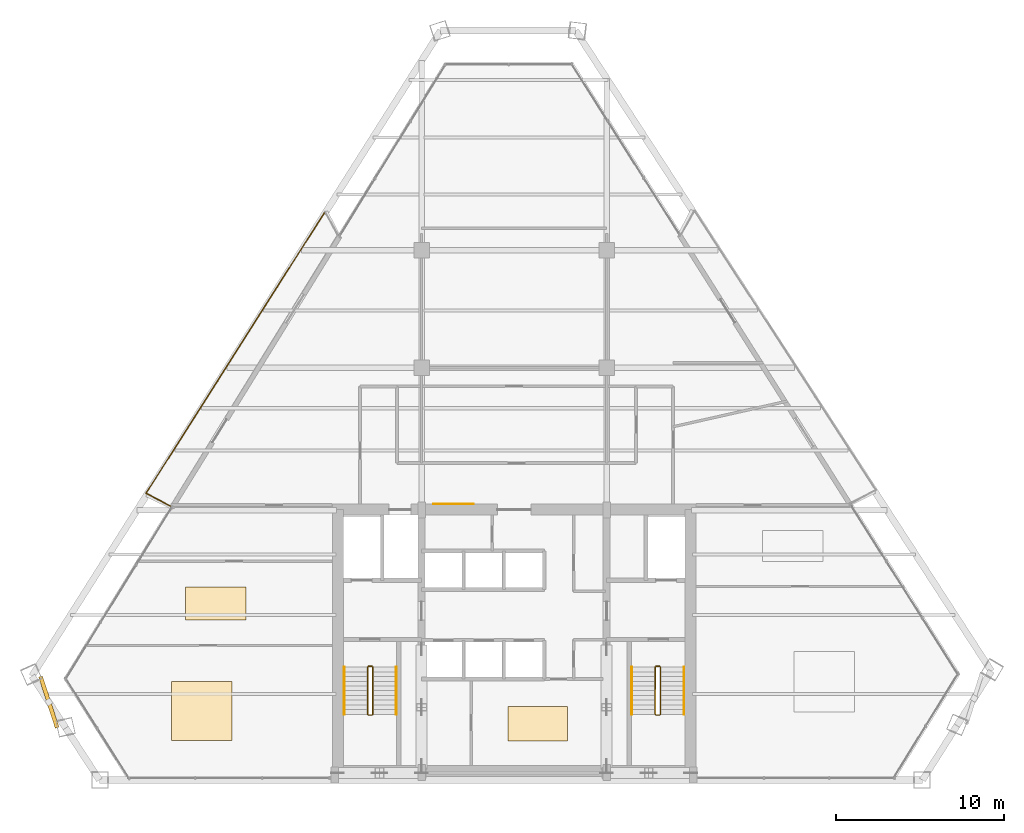
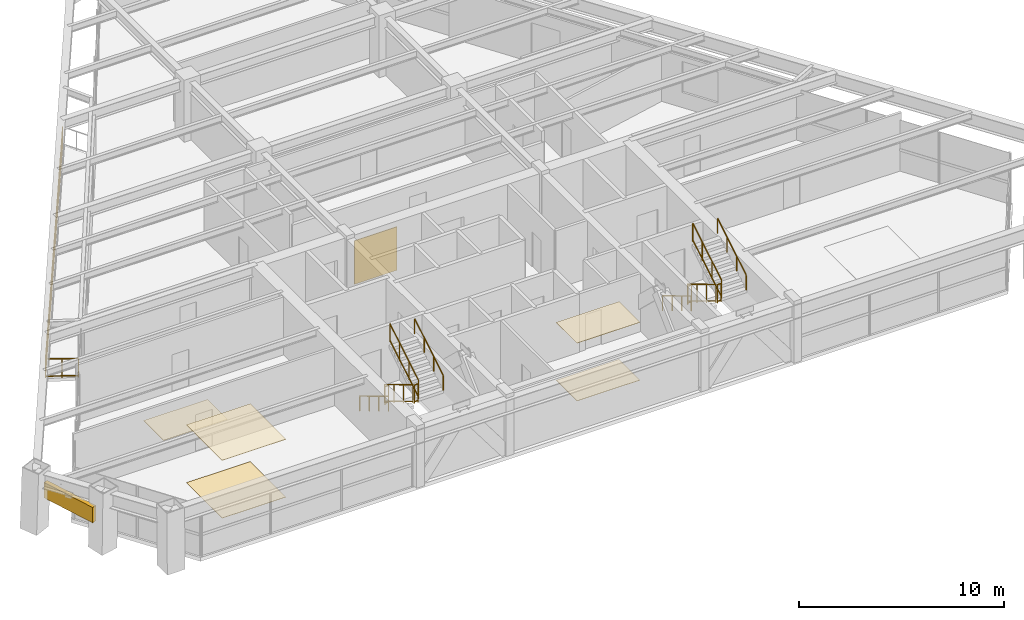
# One storey, part 14 of 15: 14 railings, 6 coverings, 1 shading device.
"""IFC4 building model written with IfcOpenShell, lengths in metres."""

from ifc_helpers import new_model, si_unit, direction, frame, origin, origin_2d, place, context, subcontext, project, spatial, rectangle, extrude, source, transform, mapped, material, layer, layer_set, type_object, type_shapes, element, save


model = new_model("IFC4")

# Units and contexts
model_context = context("Model", 3, precision=1e-05, world=origin(), true_north=direction((0.0, 1.0)))
body_context = subcontext(model_context, "Body", "Model", "MODEL_VIEW")
ifc_project = project(units=[si_unit("LENGTHUNIT", "METRE"), si_unit("AREAUNIT", "SQUARE_METRE"), si_unit("VOLUMEUNIT", "CUBIC_METRE"), si_unit("PLANEANGLEUNIT", "RADIAN"), si_unit("MASSUNIT", "GRAM", prefix="KILO")], contexts=[model_context])

# Site, building, storey
site_placement = place(None, origin())
site = spatial("IfcSite", under=ifc_project, at=site_placement, CompositionType="ELEMENT")
building_placement = place(site_placement, origin())
building = spatial("IfcBuilding", under=site, at=building_placement, Name="Varnakhor Terracotta Tower", CompositionType="ELEMENT")
storey_placement = place(building_placement, frame((0.0, 0.0, 189.5)))
storey = spatial("IfcBuildingStorey", under=building, at=storey_placement, Name="L48", CompositionType="ELEMENT", Elevation=189.5)

# Railings
ifc_material_1 = material(Name="Stainless Steel & Laminated Glass Guardrail", Category="steel")
railing_type_1 = type_object("IfcRailingType", Name="RLG-LOGGIA-GUARD-1150", PredefinedType="GUARDRAIL", material=ifc_material_1)
railing_1_placement = place(storey_placement, frame((-20.44140625, 16.283935546875, 0.0)))
element("IfcRailing", 1, at=railing_1_placement, inside=storey, type_object=railing_type_1, Name="L48 W Loggia Glass Guard 1", PredefinedType="GUARDRAIL", context=body_context, shape_type="SweptSolid", body=[
    extrude(rectangle(XDim=0.048095703125, YDim=0.048095703125, at=origin_2d()), frame((0.0, 0.0, 1.1259765625), z_axis=(-0.881421765813, 0.472330044304, 0.0), x_axis=(-0.472330044304, -0.881421765813, 0.0)), (0.0, 0.0, 1.0), 1.62158203125),
    extrude(rectangle(XDim=0.048095703125, YDim=0.048095703125, at=origin_2d()), frame((0.0, 0.0, 0.10009765625), z_axis=(-0.881421765813, 0.472330044304, 0.0), x_axis=(-0.472330044304, -0.881421765813, 0.0)), (0.0, 0.0, 1.0), 1.62158203125),
    extrude(rectangle(XDim=0.0419921875, YDim=0.0419921875, at=origin_2d()), origin(), (0.0, 0.0, 1.0), 1.101806640625),
    extrude(rectangle(XDim=0.0419921875, YDim=0.0419921875, at=origin_2d()), frame((-0.714599609375, 0.3828125, 0.0)), (0.0, 0.0, 1.0), 1.101806640625),
    extrude(rectangle(XDim=0.0419921875, YDim=0.0419921875, at=origin_2d()), frame((-1.42919921875, 0.765869140625, 0.0)), (0.0, 0.0, 1.0), 1.101806640625),
])
railing_2_placement = place(storey_placement, frame((-21.87060546875, 17.0498046875, 0.0)))
element("IfcRailing", 2, at=railing_2_placement, inside=storey, type_object=railing_type_1, Name="L48 W Loggia Glass Guard 2", PredefinedType="GUARDRAIL", context=body_context, shape_type="SweptSolid", body=[
    extrude(rectangle(XDim=0.048095703125, YDim=0.048095703125, at=origin_2d()), frame((0.0, 0.0, 1.1259765625), z_axis=(0.53627585399, 0.844042776421, 0.0), x_axis=(-0.844042776421, 0.53627585399, 0.0)), (0.0, 0.0, 1.0), 19.815673828125),
    extrude(rectangle(XDim=0.048095703125, YDim=0.048095703125, at=origin_2d()), frame((0.0, 0.0, 0.10009765625), z_axis=(0.53627585399, 0.844042776421, 0.0), x_axis=(-0.844042776421, 0.53627585399, 0.0)), (0.0, 0.0, 1.0), 19.815673828125),
    extrude(rectangle(XDim=0.0419921875, YDim=0.0419921875, at=origin_2d()), origin(), (0.0, 0.0, 1.0), 1.101806640625),
    extrude(rectangle(XDim=0.0419921875, YDim=0.0419921875, at=origin_2d()), frame((0.70849609375, 1.114990234375, 0.0)), (0.0, 0.0, 1.0), 1.101806640625),
    extrude(rectangle(XDim=0.0419921875, YDim=0.0419921875, at=origin_2d()), frame((1.4169921875, 2.22998046875, 0.0)), (0.0, 0.0, 1.0), 1.101806640625),
    extrude(rectangle(XDim=0.0419921875, YDim=0.0419921875, at=origin_2d()), frame((2.125244140625, 3.344970703125, 0.0)), (0.0, 0.0, 1.0), 1.101806640625),
    extrude(rectangle(XDim=0.0419921875, YDim=0.0419921875, at=origin_2d()), frame((2.833740234375, 4.460205078125, 0.0)), (0.0, 0.0, 1.0), 1.101806640625),
    extrude(rectangle(XDim=0.0419921875, YDim=0.0419921875, at=origin_2d()), frame((3.542236328125, 5.5751953125, 0.0)), (0.0, 0.0, 1.0), 1.101806640625),
    extrude(rectangle(XDim=0.0419921875, YDim=0.0419921875, at=origin_2d()), frame((4.250732421875, 6.690185546875, 0.0)), (0.0, 0.0, 1.0), 1.101806640625),
    extrude(rectangle(XDim=0.0419921875, YDim=0.0419921875, at=origin_2d()), frame((4.959228515625, 7.80517578125, 0.0)), (0.0, 0.0, 1.0), 1.101806640625),
    extrude(rectangle(XDim=0.0419921875, YDim=0.0419921875, at=origin_2d()), frame((5.66748046875, 8.920166015625, 0.0)), (0.0, 0.0, 1.0), 1.101806640625),
    extrude(rectangle(XDim=0.0419921875, YDim=0.0419921875, at=origin_2d()), frame((6.3759765625, 10.03515625, 0.0)), (0.0, 0.0, 1.0), 1.101806640625),
    extrude(rectangle(XDim=0.0419921875, YDim=0.0419921875, at=origin_2d()), frame((7.08447265625, 11.150146484375, 0.0)), (0.0, 0.0, 1.0), 1.101806640625),
    extrude(rectangle(XDim=0.0419921875, YDim=0.0419921875, at=origin_2d()), frame((7.79296875, 12.26513671875, 0.0)), (0.0, 0.0, 1.0), 1.101806640625),
    extrude(rectangle(XDim=0.0419921875, YDim=0.0419921875, at=origin_2d()), frame((8.50146484375, 13.38037109375, 0.0)), (0.0, 0.0, 1.0), 1.101806640625),
    extrude(rectangle(XDim=0.0419921875, YDim=0.0419921875, at=origin_2d()), frame((9.209716796875, 14.495361328125, 0.0)), (0.0, 0.0, 1.0), 1.101806640625),
    extrude(rectangle(XDim=0.0419921875, YDim=0.0419921875, at=origin_2d()), frame((9.918212890625, 15.6103515625, 0.0)), (0.0, 0.0, 1.0), 1.101806640625),
    extrude(rectangle(XDim=0.0419921875, YDim=0.0419921875, at=origin_2d()), frame((10.626708984375, 16.725341796875, 0.0)), (0.0, 0.0, 1.0), 1.101806640625),
])
ifc_material_2 = material(Name="Painted Steel Stairwell Guardrail", Category="steel")
railing_type_2 = type_object("IfcRailingType", Name="RLG-STAIR-GUARD-1120", PredefinedType="GUARDRAIL", material=ifc_material_2)
railing_3_placement = place(storey_placement, frame((-8.699951171875, 6.7099609375, 0.168212890625)))
element("IfcRailing", 3, at=railing_3_placement, inside=storey, type_object=railing_type_2, Name="L48 ST-1 stair guard 1", PredefinedType="GUARDRAIL", context=body_context, shape_type="SweptSolid", body=[
    extrude(rectangle(XDim=0.048095703125, YDim=0.048095703125, at=origin_2d()), frame((0.0, 0.0, 1.09619140625), z_axis=(0.0, -0.857242210791, 0.514913383045), x_axis=(1.0, 0.0, 0.0)), (0.0, 0.0, 1.0), 3.266357421875),
    extrude(rectangle(XDim=0.048095703125, YDim=0.048095703125, at=origin_2d()), frame((0.0, 0.0, 0.10009765625), z_axis=(0.0, -0.857242210791, 0.514913383045), x_axis=(1.0, 0.0, 0.0)), (0.0, 0.0, 1.0), 3.266357421875),
    extrude(rectangle(XDim=0.0419921875, YDim=0.0419921875, at=origin_2d()), origin(), (0.0, 0.0, 1.0), 1.072021484375),
    extrude(rectangle(XDim=0.0419921875, YDim=0.0419921875, at=origin_2d()), frame((0.0, -0.933349609375, 0.560546875)), (0.0, 0.0, 1.0), 1.072021484375),
    extrude(rectangle(XDim=0.0419921875, YDim=0.0419921875, at=origin_2d()), frame((0.0, -1.86669921875, 1.121337890625)), (0.0, 0.0, 1.0), 1.072021484375),
    extrude(rectangle(XDim=0.0419921875, YDim=0.0419921875, at=origin_2d()), frame((0.0, -2.800048828125, 1.681884765625)), (0.0, 0.0, 1.0), 1.072021484375),
])
railing_4_placement = place(storey_placement, frame((-8.64990234375, 3.860107421875, 1.85009765625)))
element("IfcRailing", 4, at=railing_4_placement, inside=storey, type_object=railing_type_2, Name="L48 ST-1 stair guard 2", PredefinedType="GUARDRAIL", context=body_context, shape_type="SweptSolid", body=[
    extrude(rectangle(XDim=0.048095703125, YDim=0.048095703125, at=origin_2d()), frame((0.0, 0.0, 1.09619140625), z_axis=(1.0, 0.0, 0.0), x_axis=(0.0, 1.0, 0.0)), (0.0, 0.0, 1.0), 0.199951171875),
    extrude(rectangle(XDim=0.048095703125, YDim=0.048095703125, at=origin_2d()), frame((0.0, 0.0, 0.10009765625), z_axis=(1.0, 0.0, 0.0), x_axis=(0.0, 1.0, 0.0)), (0.0, 0.0, 1.0), 0.199951171875),
    extrude(rectangle(XDim=0.0419921875, YDim=0.0419921875, at=origin_2d()), origin(), (0.0, 0.0, 1.0), 1.072021484375),
    extrude(rectangle(XDim=0.0419921875, YDim=0.0419921875, at=origin_2d()), frame((0.199951171875, 0.0, 0.0)), (0.0, 0.0, 1.0), 1.072021484375),
])
railing_5_placement = place(storey_placement, frame((-8.39990234375, 3.909912109375, 2.01806640625)))
element("IfcRailing", 5, at=railing_5_placement, inside=storey, type_object=railing_type_2, Name="L48 ST-1 stair guard 3", PredefinedType="GUARDRAIL", context=body_context, shape_type="SweptSolid", body=[
    extrude(rectangle(XDim=0.048095703125, YDim=0.048095703125, at=origin_2d()), frame((0.0, 0.0, 1.09619140625), z_axis=(0.0, 0.857242210791, 0.514913383045), x_axis=(-1.0, 0.0, 0.0)), (0.0, 0.0, 1.0), 3.266357421875),
    extrude(rectangle(XDim=0.048095703125, YDim=0.048095703125, at=origin_2d()), frame((0.0, 0.0, 0.10009765625), z_axis=(0.0, 0.857242210791, 0.514913383045), x_axis=(-1.0, 0.0, 0.0)), (0.0, 0.0, 1.0), 3.266357421875),
    extrude(rectangle(XDim=0.0419921875, YDim=0.0419921875, at=origin_2d()), origin(), (0.0, 0.0, 1.0), 1.072021484375),
    extrude(rectangle(XDim=0.0419921875, YDim=0.0419921875, at=origin_2d()), frame((0.0, 0.933349609375, 0.560546875)), (0.0, 0.0, 1.0), 1.072021484375),
    extrude(rectangle(XDim=0.0419921875, YDim=0.0419921875, at=origin_2d()), frame((0.0, 1.86669921875, 1.121337890625)), (0.0, 0.0, 1.0), 1.072021484375),
    extrude(rectangle(XDim=0.0419921875, YDim=0.0419921875, at=origin_2d()), frame((0.0, 2.800048828125, 1.681884765625)), (0.0, 0.0, 1.0), 1.072021484375),
])
railing_6_placement = place(storey_placement, frame((-8.64990234375, 6.760009765625, 0.0)))
element("IfcRailing", 6, at=railing_6_placement, inside=storey, type_object=railing_type_2, Name="L48 ST-1 stair guard 4", PredefinedType="GUARDRAIL", context=body_context, shape_type="SweptSolid", body=[
    extrude(rectangle(XDim=0.048095703125, YDim=0.048095703125, at=origin_2d()), frame((0.0, 0.0, 1.09619140625), z_axis=(1.0, 0.0, 0.0), x_axis=(0.0, 1.0, 0.0)), (0.0, 0.0, 1.0), 0.199951171875),
    extrude(rectangle(XDim=0.048095703125, YDim=0.048095703125, at=origin_2d()), frame((0.0, 0.0, 0.10009765625), z_axis=(1.0, 0.0, 0.0), x_axis=(0.0, 1.0, 0.0)), (0.0, 0.0, 1.0), 0.199951171875),
    extrude(rectangle(XDim=0.0419921875, YDim=0.0419921875, at=origin_2d()), origin(), (0.0, 0.0, 1.0), 1.072021484375),
    extrude(rectangle(XDim=0.0419921875, YDim=0.0419921875, at=origin_2d()), frame((0.199951171875, 0.0, 0.0)), (0.0, 0.0, 1.0), 1.072021484375),
])
railing_7_placement = place(storey_placement, frame((8.39990234375, 6.7099609375, 0.168212890625)))
element("IfcRailing", 7, at=railing_7_placement, inside=storey, type_object=railing_type_2, Name="L48 ST-2 stair guard 1", PredefinedType="GUARDRAIL", context=body_context, shape_type="SweptSolid", body=[
    extrude(rectangle(XDim=0.048095703125, YDim=0.048095703125, at=origin_2d()), frame((0.0, 0.0, 1.09619140625), z_axis=(0.0, -0.857242210791, 0.514913383045), x_axis=(1.0, 0.0, 0.0)), (0.0, 0.0, 1.0), 3.266357421875),
    extrude(rectangle(XDim=0.048095703125, YDim=0.048095703125, at=origin_2d()), frame((0.0, 0.0, 0.10009765625), z_axis=(0.0, -0.857242210791, 0.514913383045), x_axis=(1.0, 0.0, 0.0)), (0.0, 0.0, 1.0), 3.266357421875),
    extrude(rectangle(XDim=0.0419921875, YDim=0.0419921875, at=origin_2d()), origin(), (0.0, 0.0, 1.0), 1.072021484375),
    extrude(rectangle(XDim=0.0419921875, YDim=0.0419921875, at=origin_2d()), frame((0.0, -0.933349609375, 0.560546875)), (0.0, 0.0, 1.0), 1.072021484375),
    extrude(rectangle(XDim=0.0419921875, YDim=0.0419921875, at=origin_2d()), frame((0.0, -1.86669921875, 1.121337890625)), (0.0, 0.0, 1.0), 1.072021484375),
    extrude(rectangle(XDim=0.0419921875, YDim=0.0419921875, at=origin_2d()), frame((0.0, -2.800048828125, 1.681884765625)), (0.0, 0.0, 1.0), 1.072021484375),
])
railing_8_placement = place(storey_placement, frame((8.449951171875, 3.860107421875, 1.85009765625)))
element("IfcRailing", 8, at=railing_8_placement, inside=storey, type_object=railing_type_2, Name="L48 ST-2 stair guard 2", PredefinedType="GUARDRAIL", context=body_context, shape_type="SweptSolid", body=[
    extrude(rectangle(XDim=0.048095703125, YDim=0.048095703125, at=origin_2d()), frame((0.0, 0.0, 1.09619140625), z_axis=(1.0, 0.0, 0.0), x_axis=(0.0, 1.0, 0.0)), (0.0, 0.0, 1.0), 0.199951171875),
    extrude(rectangle(XDim=0.048095703125, YDim=0.048095703125, at=origin_2d()), frame((0.0, 0.0, 0.10009765625), z_axis=(1.0, 0.0, 0.0), x_axis=(0.0, 1.0, 0.0)), (0.0, 0.0, 1.0), 0.199951171875),
    extrude(rectangle(XDim=0.0419921875, YDim=0.0419921875, at=origin_2d()), origin(), (0.0, 0.0, 1.0), 1.072021484375),
    extrude(rectangle(XDim=0.0419921875, YDim=0.0419921875, at=origin_2d()), frame((0.199951171875, 0.0, 0.0)), (0.0, 0.0, 1.0), 1.072021484375),
])
railing_9_placement = place(storey_placement, frame((8.699951171875, 3.909912109375, 2.01806640625)))
element("IfcRailing", 9, at=railing_9_placement, inside=storey, type_object=railing_type_2, Name="L48 ST-2 stair guard 3", PredefinedType="GUARDRAIL", context=body_context, shape_type="SweptSolid", body=[
    extrude(rectangle(XDim=0.048095703125, YDim=0.048095703125, at=origin_2d()), frame((0.0, 0.0, 1.09619140625), z_axis=(0.0, 0.857242210791, 0.514913383045), x_axis=(-1.0, 0.0, 0.0)), (0.0, 0.0, 1.0), 3.266357421875),
    extrude(rectangle(XDim=0.048095703125, YDim=0.048095703125, at=origin_2d()), frame((0.0, 0.0, 0.10009765625), z_axis=(0.0, 0.857242210791, 0.514913383045), x_axis=(-1.0, 0.0, 0.0)), (0.0, 0.0, 1.0), 3.266357421875),
    extrude(rectangle(XDim=0.0419921875, YDim=0.0419921875, at=origin_2d()), origin(), (0.0, 0.0, 1.0), 1.072021484375),
    extrude(rectangle(XDim=0.0419921875, YDim=0.0419921875, at=origin_2d()), frame((0.0, 0.933349609375, 0.560546875)), (0.0, 0.0, 1.0), 1.072021484375),
    extrude(rectangle(XDim=0.0419921875, YDim=0.0419921875, at=origin_2d()), frame((0.0, 1.86669921875, 1.121337890625)), (0.0, 0.0, 1.0), 1.072021484375),
    extrude(rectangle(XDim=0.0419921875, YDim=0.0419921875, at=origin_2d()), frame((0.0, 2.800048828125, 1.681884765625)), (0.0, 0.0, 1.0), 1.072021484375),
])
railing_10_placement = place(storey_placement, frame((8.449951171875, 6.760009765625, 0.0)))
element("IfcRailing", 10, at=railing_10_placement, inside=storey, type_object=railing_type_2, Name="L48 ST-2 stair guard 4", PredefinedType="GUARDRAIL", context=body_context, shape_type="SweptSolid", body=[
    extrude(rectangle(XDim=0.048095703125, YDim=0.048095703125, at=origin_2d()), frame((0.0, 0.0, 1.09619140625), z_axis=(1.0, 0.0, 0.0), x_axis=(0.0, 1.0, 0.0)), (0.0, 0.0, 1.0), 0.199951171875),
    extrude(rectangle(XDim=0.048095703125, YDim=0.048095703125, at=origin_2d()), frame((0.0, 0.0, 0.10009765625), z_axis=(1.0, 0.0, 0.0), x_axis=(0.0, 1.0, 0.0)), (0.0, 0.0, 1.0), 0.199951171875),
    extrude(rectangle(XDim=0.0419921875, YDim=0.0419921875, at=origin_2d()), origin(), (0.0, 0.0, 1.0), 1.072021484375),
    extrude(rectangle(XDim=0.0419921875, YDim=0.0419921875, at=origin_2d()), frame((0.199951171875, 0.0, 0.0)), (0.0, 0.0, 1.0), 1.072021484375),
])
ifc_material_3 = material(Name="Brushed Stainless Steel Handrail", Category="steel")
railing_type_3 = type_object("IfcRailingType", Name="RLG-STAIR-HANDRAIL-920", PredefinedType="HANDRAIL", material=ifc_material_3)
railing_11_placement = place(storey_placement, frame((-10.10009765625, 6.7099609375, 0.168212890625)))
element("IfcRailing", 11, at=railing_11_placement, inside=storey, type_object=railing_type_3, Name="L48 ST-1 stair handrail 1", PredefinedType="HANDRAIL", context=body_context, shape_type="SweptSolid", body=[
    extrude(rectangle(XDim=0.048095703125, YDim=0.048095703125, at=origin_2d()), frame((0.0, 0.0, 0.89599609375), z_axis=(0.0, -0.857242210791, 0.514913383045), x_axis=(1.0, 0.0, 0.0)), (0.0, 0.0, 1.0), 3.266357421875),
    extrude(rectangle(XDim=0.0419921875, YDim=0.0419921875, at=origin_2d()), origin(), (0.0, 0.0, 1.0), 0.871826171875),
    extrude(rectangle(XDim=0.0419921875, YDim=0.0419921875, at=origin_2d()), frame((0.0, -0.933349609375, 0.560546875)), (0.0, 0.0, 1.0), 0.871826171875),
    extrude(rectangle(XDim=0.0419921875, YDim=0.0419921875, at=origin_2d()), frame((0.0, -1.86669921875, 1.121337890625)), (0.0, 0.0, 1.0), 0.871826171875),
    extrude(rectangle(XDim=0.0419921875, YDim=0.0419921875, at=origin_2d()), frame((0.0, -2.800048828125, 1.681884765625)), (0.0, 0.0, 1.0), 0.871826171875),
])
railing_12_placement = place(storey_placement, frame((-7.0, 3.909912109375, 2.01806640625)))
element("IfcRailing", 12, at=railing_12_placement, inside=storey, type_object=railing_type_3, Name="L48 ST-1 stair handrail 2", PredefinedType="HANDRAIL", context=body_context, shape_type="SweptSolid", body=[
    extrude(rectangle(XDim=0.048095703125, YDim=0.048095703125, at=origin_2d()), frame((0.0, 0.0, 0.89599609375), z_axis=(0.0, 0.857242210791, 0.514913383045), x_axis=(-1.0, 0.0, 0.0)), (0.0, 0.0, 1.0), 3.266357421875),
    extrude(rectangle(XDim=0.0419921875, YDim=0.0419921875, at=origin_2d()), origin(), (0.0, 0.0, 1.0), 0.871826171875),
    extrude(rectangle(XDim=0.0419921875, YDim=0.0419921875, at=origin_2d()), frame((0.0, 0.933349609375, 0.560546875)), (0.0, 0.0, 1.0), 0.871826171875),
    extrude(rectangle(XDim=0.0419921875, YDim=0.0419921875, at=origin_2d()), frame((0.0, 1.86669921875, 1.121337890625)), (0.0, 0.0, 1.0), 0.871826171875),
    extrude(rectangle(XDim=0.0419921875, YDim=0.0419921875, at=origin_2d()), frame((0.0, 2.800048828125, 1.681884765625)), (0.0, 0.0, 1.0), 0.871826171875),
])
railing_13_placement = place(storey_placement, frame((7.0, 6.7099609375, 0.168212890625)))
element("IfcRailing", 13, at=railing_13_placement, inside=storey, type_object=railing_type_3, Name="L48 ST-2 stair handrail 1", PredefinedType="HANDRAIL", context=body_context, shape_type="SweptSolid", body=[
    extrude(rectangle(XDim=0.048095703125, YDim=0.048095703125, at=origin_2d()), frame((0.0, 0.0, 0.89599609375), z_axis=(0.0, -0.857242210791, 0.514913383045), x_axis=(1.0, 0.0, 0.0)), (0.0, 0.0, 1.0), 3.266357421875),
    extrude(rectangle(XDim=0.0419921875, YDim=0.0419921875, at=origin_2d()), origin(), (0.0, 0.0, 1.0), 0.871826171875),
    extrude(rectangle(XDim=0.0419921875, YDim=0.0419921875, at=origin_2d()), frame((0.0, -0.933349609375, 0.560546875)), (0.0, 0.0, 1.0), 0.871826171875),
    extrude(rectangle(XDim=0.0419921875, YDim=0.0419921875, at=origin_2d()), frame((0.0, -1.86669921875, 1.121337890625)), (0.0, 0.0, 1.0), 0.871826171875),
    extrude(rectangle(XDim=0.0419921875, YDim=0.0419921875, at=origin_2d()), frame((0.0, -2.800048828125, 1.681884765625)), (0.0, 0.0, 1.0), 0.871826171875),
])
railing_14_placement = place(storey_placement, frame((10.10009765625, 3.909912109375, 2.01806640625)))
element("IfcRailing", 14, at=railing_14_placement, inside=storey, type_object=railing_type_3, Name="L48 ST-2 stair handrail 2", PredefinedType="HANDRAIL", context=body_context, shape_type="SweptSolid", body=[
    extrude(rectangle(XDim=0.048095703125, YDim=0.048095703125, at=origin_2d()), frame((0.0, 0.0, 0.89599609375), z_axis=(0.0, 0.857242210791, 0.514913383045), x_axis=(-1.0, 0.0, 0.0)), (0.0, 0.0, 1.0), 3.266357421875),
    extrude(rectangle(XDim=0.0419921875, YDim=0.0419921875, at=origin_2d()), origin(), (0.0, 0.0, 1.0), 0.871826171875),
    extrude(rectangle(XDim=0.0419921875, YDim=0.0419921875, at=origin_2d()), frame((0.0, 0.933349609375, 0.560546875)), (0.0, 0.0, 1.0), 0.871826171875),
    extrude(rectangle(XDim=0.0419921875, YDim=0.0419921875, at=origin_2d()), frame((0.0, 1.86669921875, 1.121337890625)), (0.0, 0.0, 1.0), 0.871826171875),
    extrude(rectangle(XDim=0.0419921875, YDim=0.0419921875, at=origin_2d()), frame((0.0, 2.800048828125, 1.681884765625)), (0.0, 0.0, 1.0), 0.871826171875),
])

# Shading device
ifc_material_4 = material(Name="Extruded Architectural Terracotta Screen", Category="masonry")
shading_device_type = type_object("IfcShadingDeviceType", Name="TERRACOTTA SOLAR SCREEN W", PredefinedType="USERDEFINED", material=ifc_material_4)
shared_shape_1 = source(origin(), body_context, "Body", "SweptSolid", [
    extrude(rectangle(XDim=3.199951171875, YDim=0.239990234375, at=origin_2d()), origin(), (0.0, 0.0, 1.0), 0.919921875),
])
type_shapes(shading_device_type, [shared_shape_1])
shading_device_placement = place(storey_placement, frame((-27.656494140625, 4.635498046875, 1.7099609375), z_axis=(0.0, 0.0, 1.0), x_axis=(0.308817798788, -0.951121215804, 0.0)))
element("IfcShadingDevice", 15, at=shading_device_placement, inside=storey, type_object=shading_device_type, Name="L48 W Terracotta Solar Screen", ObjectType="SCREEN", PredefinedType="USERDEFINED", context=body_context, shape_type="MappedRepresentation", body=[
    mapped(shared_shape_1, transform((0.0, 0.0, 0.0), scale=1.0)),
])

# Coverings
ifc_material_5 = material(Name="Extruded Architectural Terracotta Cladding", Category="masonry")
ifc_layer_1 = layer(ifc_material_5, 0.044921875, Name="Extruded Architectural Terracotta Cladding")
ifc_layer_set_1 = layer_set([ifc_layer_1], Name="Extruded Architectural Terracotta Cladding")
covering_type_1 = type_object("IfcCoveringType", Name="COV-CLAD-TERRACOTTA", PredefinedType="CLADDING", material=ifc_layer_set_1)
shared_shape_2 = source(origin(), body_context, "Body", "SweptSolid", [
    extrude(rectangle(XDim=2.39990234375, YDim=0.030029296875, at=origin_2d()), origin(), (0.0, 0.0, 1.0), 2.60009765625),
])
type_shapes(covering_type_1, [shared_shape_2])
covering_1_placement = place(storey_placement, frame((-3.60009765625, 16.412109375, 0.0), z_axis=(0.0, 0.0, 1.0), x_axis=(1.0, 0.0, 0.0)))
element("IfcCovering", 16, at=covering_1_placement, inside=storey, type_object=covering_type_1, Name="L48 Core Lobby Limestone Cladding", PredefinedType="CLADDING", context=body_context, shape_type="MappedRepresentation", body=[
    mapped(shared_shape_2, transform((0.0, 0.0, 0.0), scale=1.0)),
])
ifc_material_6 = material(Name="Honed Riyadh Limestone Flooring", Category="masonry")
ifc_layer_2 = layer(ifc_material_6, 0.030029296875, Name="Honed Riyadh Limestone Flooring")
ifc_layer_set_2 = layer_set([ifc_layer_2], Name="Honed Riyadh Limestone Flooring")
covering_type_2 = type_object("IfcCoveringType", Name="COV-FLOOR-LIMESTONE", PredefinedType="FLOORING", material=ifc_layer_set_2)
shared_shape_3 = source(origin(), body_context, "Body", "SweptSolid", [
    extrude(rectangle(XDim=3.60009765625, YDim=1.950927734375, at=origin_2d()), origin(), (0.0, 0.0, 1.0), 0.02001953125),
])
covering_2_placement = place(storey_placement, frame((-17.7451171875, 10.5, 0.0), z_axis=(0.0, 0.0, 1.0), x_axis=(1.0, 0.0, 0.0)))
element("IfcCovering", 17, at=covering_2_placement, inside=storey, type_object=covering_type_2, Name="L48 Honed Stone Flooring 4", PredefinedType="FLOORING", context=body_context, shape_type="MappedRepresentation", body=[
    mapped(shared_shape_3, transform((0.0, 0.0, 0.0), scale=1.0)),
])
shared_shape_4 = source(origin(), body_context, "Body", "SweptSolid", [
    extrude(rectangle(XDim=3.547119140625, YDim=2.041015625, at=origin_2d()), origin(), (0.0, 0.0, 1.0), 0.02001953125),
])
covering_3_placement = place(storey_placement, frame((1.4150390625, 3.35498046875, 0.0), z_axis=(0.0, 0.0, 1.0), x_axis=(1.0, 0.0, 0.0)))
element("IfcCovering", 18, at=covering_3_placement, inside=storey, type_object=covering_type_2, Name="L48 Honed Stone Flooring 1", PredefinedType="FLOORING", context=body_context, shape_type="MappedRepresentation", body=[
    mapped(shared_shape_4, transform((0.0, 0.0, 0.0), scale=1.0)),
])
ifc_material_7 = material(Name="Perforated Acoustic Mineral-Fibre Ceiling", Category="gypsum")
ifc_layer_3 = layer(ifc_material_7, 0.02490234375, Name="Perforated Acoustic Mineral-Fibre Ceiling")
ifc_layer_set_3 = layer_set([ifc_layer_3], Name="Perforated Acoustic Mineral-Fibre Ceiling")
covering_type_3 = type_object("IfcCoveringType", Name="COV-CEILING-ACOUSTIC", PredefinedType="CEILING", material=ifc_layer_set_3)
shared_shape_5 = source(origin(), body_context, "Body", "SweptSolid", [
    extrude(rectangle(XDim=3.547119140625, YDim=2.041015625, at=origin_2d()), origin(), (0.0, 0.0, 1.0), 0.02392578125),
])
covering_4_placement = place(storey_placement, frame((1.4150390625, 3.35498046875, 3.446044921875), z_axis=(0.0, 0.0, 1.0), x_axis=(1.0, 0.0, 0.0)))
element("IfcCovering", 19, at=covering_4_placement, inside=storey, type_object=covering_type_3, Name="L48 Acoustic Ceiling Panel 1", PredefinedType="CEILING", context=body_context, shape_type="MappedRepresentation", body=[
    mapped(shared_shape_5, transform((0.0, 0.0, 0.0), scale=1.0)),
])
shared_shape_6 = source(origin(), body_context, "Body", "SweptSolid", [
    extrude(rectangle(XDim=3.60009765625, YDim=3.489013671875, at=origin_2d()), origin(), (0.0, 0.0, 1.0), 0.02001953125),
])
covering_5_placement = place(storey_placement, frame((-18.577880859375, 4.10205078125, 0.0), z_axis=(0.0, 0.0, 1.0), x_axis=(1.0, 0.0, 0.0)))
element("IfcCovering", 20, at=covering_5_placement, inside=storey, type_object=covering_type_2, Name="L48 Honed Stone Flooring 2", PredefinedType="FLOORING", context=body_context, shape_type="MappedRepresentation", body=[
    mapped(shared_shape_6, transform((0.0, 0.0, 0.0), scale=1.0)),
])
shared_shape_7 = source(origin(), body_context, "Body", "SweptSolid", [
    extrude(rectangle(XDim=3.60009765625, YDim=3.489013671875, at=origin_2d()), origin(), (0.0, 0.0, 1.0), 0.02392578125),
])
covering_6_placement = place(storey_placement, frame((-18.577880859375, 4.10205078125, 3.446044921875), z_axis=(0.0, 0.0, 1.0), x_axis=(1.0, 0.0, 0.0)))
element("IfcCovering", 21, at=covering_6_placement, inside=storey, type_object=covering_type_3, Name="L48 Acoustic Ceiling Panel 2", PredefinedType="CEILING", context=body_context, shape_type="MappedRepresentation", body=[
    mapped(shared_shape_7, transform((0.0, 0.0, 0.0), scale=1.0)),
])

save(model, "model.ifc")
